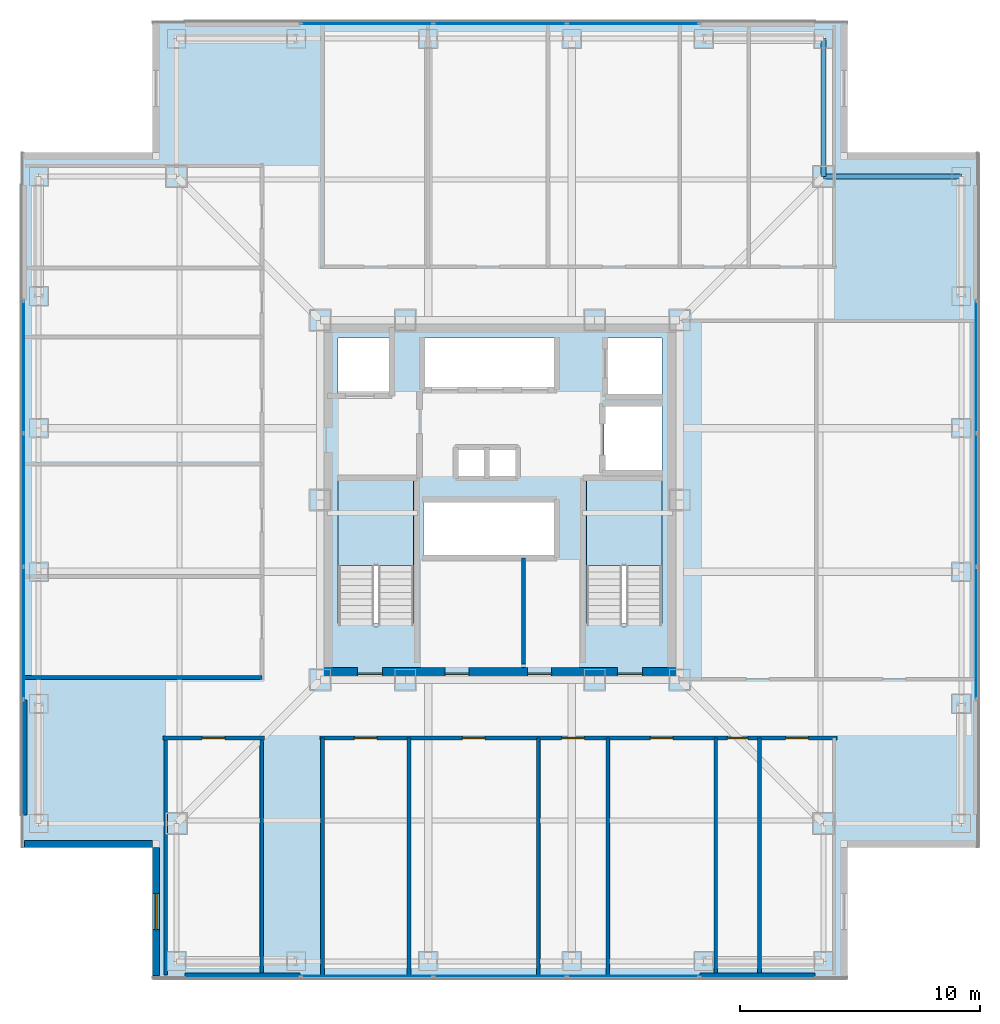
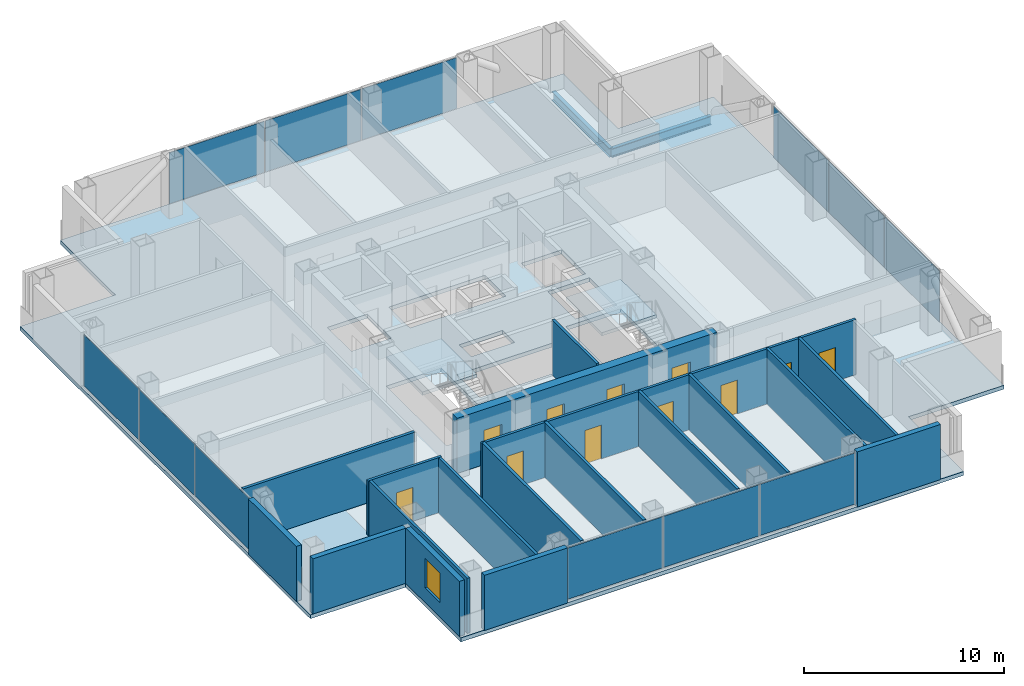
# One storey, part 9 of 17: 18 walls, 12 plates, 11 doors, 3 slabs, 2 beams, 1 window, 12 openings, 6 elements without a shape of their own.
"""IFC4 building model written with IfcOpenShell, lengths in metres."""

from ifc_helpers import new_model, si_unit, direction, frame, frame_2d, origin, origin_2d, place, context, subcontext, project, spatial, polyline, rectangle, i_section, outline, extrude, material, layer, layer_set, material_profile, profile_set, type_object, element, fill, aggregate, save


model = new_model("IFC4")

# Units and contexts
model_context = context("Model", 3, precision=1e-05, world=origin(), true_north=direction((0.0, 1.0)))
body_context = subcontext(model_context, "Body", "Model", "MODEL_VIEW")
ifc_project = project(units=[si_unit("LENGTHUNIT", "METRE"), si_unit("AREAUNIT", "SQUARE_METRE"), si_unit("VOLUMEUNIT", "CUBIC_METRE"), si_unit("PLANEANGLEUNIT", "RADIAN"), si_unit("MASSUNIT", "GRAM", prefix="KILO")], contexts=[model_context])

# Site, building, storey
site_placement = place(None, origin())
site = spatial("IfcSite", under=ifc_project, at=site_placement, CompositionType="ELEMENT")
building_placement = place(site_placement, origin())
building = spatial("IfcBuilding", under=site, at=building_placement, Name="Trevonay Congress Spire", CompositionType="ELEMENT")
storey_placement = place(building_placement, frame((0.0, 0.0, 169.800048828125)))
storey = spatial("IfcBuildingStorey", under=building, at=storey_placement, Name="L43", CompositionType="ELEMENT", Elevation=169.800048828125)

# Beams
ifc_material_1 = material(Name="Steel ASTM A572 Grade 50", Category="steel")
ifc_material_profile = material_profile(ifc_material_1, i_section(OverallWidth=0.2119140625, OverallDepth=0.5439453125, WebThickness=0.01318359375, FlangeThickness=0.021240234375, FilletRadius=0.014892578125, at=origin_2d()), Name="W530x123")
ifc_profile_set = profile_set([ifc_material_profile], Name="Steel ASTM A572 Grade 50")
beam_type = type_object("IfcBeamType", Name="BM-RING-W530X123", PredefinedType="BEAM", material=ifc_profile_set)
for number, where, z_axis, x_axis, name in (
    (1, (13.5, 19.25, -0.511962890625), (0.0, -1.0, 0.0), (1.0, 0.0, 0.0), "L43 structural beam BM-L43-N1NE"),
    (2, (19.25, 13.5, -0.511962890625), (-1.0, 0.0, 0.0), (0.0, -1.0, 0.0), "L43 structural beam BM-L43-N2NE"),
):
    element("IfcBeam", number, at=place(storey_placement, frame(where, z_axis=z_axis, x_axis=x_axis)), inside=storey, type_object=beam_type, Name=name, PredefinedType="BEAM", context=body_context, shape_type="SweptSolid", body=[
        extrude(i_section(OverallWidth=0.2119140625, OverallDepth=0.5439453125, WebThickness=0.01318359375, FlangeThickness=0.021240234375, FilletRadius=0.014892578125, at=origin_2d()), origin(), (0.0, 0.0, 1.0), 5.75),
    ])

# Curtain wall, plates
ifc_material_2 = material(Name="Pale Anodised Aluminium EN AW-6063-T6", Category="aluminium")
ifc_layer_1 = layer(ifc_material_2, 0.169921875, Name="Pale Anodised Aluminium EN AW-6063-T6")
ifc_layer_set_1 = layer_set([ifc_layer_1], Name="Pale Anodised Aluminium EN AW-6063-T6")
curtain_wall_type = type_object("IfcCurtainWallType", Name="CW-SYS04-CORP-PALE-METAL", PredefinedType="NOTDEFINED", material=ifc_layer_set_1)
curtain_wall_1_placement = place(storey_placement, origin())
curtain_wall_1 = element("IfcCurtainWall", 3, at=curtain_wall_1_placement, inside=storey, type_object=curtain_wall_type, Name="L43 S unitised curtain wall", PredefinedType="NOTDEFINED")
ifc_material_3 = material(Name="Insulated Low-E Vision Glass IGU", Category="glass")
ifc_layer_2 = layer(ifc_material_3, 0.035888671875, Name="Insulated Low-E Vision Glass IGU")
ifc_layer_set_2 = layer_set([ifc_layer_2], Name="Insulated Low-E Vision Glass IGU")
plate_type = type_object("IfcPlateType", Name="CW-PANEL-IGU36-SILVER", PredefinedType="CURTAIN_PANEL", material=ifc_layer_set_2)
plate_1_placement = place(storey_placement, frame((-5.5517578125, -19.8798828125, 0.119873046875), z_axis=(0.0, 0.0, 1.0), x_axis=(1.0, 0.0, 0.0)))
plate_1 = element("IfcPlate", 4, at=plate_1_placement, type_object=plate_type, Name="CW04 panel 1.1", PredefinedType="CURTAIN_PANEL", context=body_context, shape_type="SweptSolid", body=[
    extrude(rectangle(XDim=5.4765625, YDim=0.035888671875, at=origin_2d()), origin(), (0.0, 0.0, 1.0), 3.1201171875),
])
plate_2_placement = place(storey_placement, frame((0.0, -19.8798828125, 0.119873046875), z_axis=(0.0, 0.0, 1.0), x_axis=(1.0, 0.0, 0.0)))
plate_2 = element("IfcPlate", 5, at=plate_2_placement, type_object=plate_type, Name="CW04 panel 2.1", PredefinedType="CURTAIN_PANEL", context=body_context, shape_type="SweptSolid", body=[
    extrude(rectangle(XDim=5.506591796875, YDim=0.035888671875, at=origin_2d()), origin(), (0.0, 0.0, 1.0), 3.1201171875),
])
plate_3_placement = place(storey_placement, frame((5.5517578125, -19.8798828125, 0.119873046875), z_axis=(0.0, 0.0, 1.0), x_axis=(1.0, 0.0, 0.0)))
plate_3 = element("IfcPlate", 6, at=plate_3_placement, type_object=plate_type, Name="CW04 panel 3.1", PredefinedType="CURTAIN_PANEL", context=body_context, shape_type="SweptSolid", body=[
    extrude(rectangle(XDim=5.4765625, YDim=0.035888671875, at=origin_2d()), origin(), (0.0, 0.0, 1.0), 3.1201171875),
])
aggregate(curtain_wall_1, [plate_1, plate_2, plate_3])

curtain_wall_2_placement = place(storey_placement, origin())
curtain_wall_2 = element("IfcCurtainWall", 7, at=curtain_wall_2_placement, inside=storey, type_object=curtain_wall_type, Name="L43 N unitised curtain wall", PredefinedType="NOTDEFINED")
plate_4_placement = place(storey_placement, frame((-5.5517578125, 19.8798828125, 0.119873046875), z_axis=(0.0, 0.0, 1.0), x_axis=(1.0, 0.0, 0.0)))
plate_4 = element("IfcPlate", 8, at=plate_4_placement, type_object=plate_type, Name="CW04 panel 1.1", PredefinedType="CURTAIN_PANEL", context=body_context, shape_type="SweptSolid", body=[
    extrude(rectangle(XDim=5.4765625, YDim=0.035888671875, at=origin_2d()), origin(), (0.0, 0.0, 1.0), 3.1201171875),
])
plate_5_placement = place(storey_placement, frame((0.0, 19.8798828125, 0.119873046875), z_axis=(0.0, 0.0, 1.0), x_axis=(1.0, 0.0, 0.0)))
plate_5 = element("IfcPlate", 9, at=plate_5_placement, type_object=plate_type, Name="CW04 panel 2.1", PredefinedType="CURTAIN_PANEL", context=body_context, shape_type="SweptSolid", body=[
    extrude(rectangle(XDim=5.506591796875, YDim=0.035888671875, at=origin_2d()), origin(), (0.0, 0.0, 1.0), 3.1201171875),
])
plate_6_placement = place(storey_placement, frame((5.5517578125, 19.8798828125, 0.119873046875), z_axis=(0.0, 0.0, 1.0), x_axis=(1.0, 0.0, 0.0)))
plate_6 = element("IfcPlate", 10, at=plate_6_placement, type_object=plate_type, Name="CW04 panel 3.1", PredefinedType="CURTAIN_PANEL", context=body_context, shape_type="SweptSolid", body=[
    extrude(rectangle(XDim=5.4765625, YDim=0.035888671875, at=origin_2d()), origin(), (0.0, 0.0, 1.0), 3.1201171875),
])
aggregate(curtain_wall_2, [plate_4, plate_5, plate_6])

curtain_wall_3_placement = place(storey_placement, origin())
curtain_wall_3 = element("IfcCurtainWall", 11, at=curtain_wall_3_placement, inside=storey, type_object=curtain_wall_type, Name="L43 W unitised curtain wall", PredefinedType="NOTDEFINED")
plate_7_placement = place(storey_placement, frame((-19.8798828125, -5.5517578125, 0.119873046875), z_axis=(0.0, 0.0, 1.0), x_axis=(0.0, 1.0, 0.0)))
plate_7 = element("IfcPlate", 12, at=plate_7_placement, type_object=plate_type, Name="CW04 panel 1.1", PredefinedType="CURTAIN_PANEL", context=body_context, shape_type="SweptSolid", body=[
    extrude(rectangle(XDim=5.4765625, YDim=0.035888671875, at=origin_2d()), origin(), (0.0, 0.0, 1.0), 3.1201171875),
])
plate_8_placement = place(storey_placement, frame((-19.8798828125, 0.0, 0.119873046875), z_axis=(0.0, 0.0, 1.0), x_axis=(0.0, 1.0, 0.0)))
plate_8 = element("IfcPlate", 13, at=plate_8_placement, type_object=plate_type, Name="CW04 panel 2.1", PredefinedType="CURTAIN_PANEL", context=body_context, shape_type="SweptSolid", body=[
    extrude(rectangle(XDim=5.506591796875, YDim=0.035888671875, at=origin_2d()), origin(), (0.0, 0.0, 1.0), 3.1201171875),
])
plate_9_placement = place(storey_placement, frame((-19.8798828125, 5.5517578125, 0.119873046875), z_axis=(0.0, 0.0, 1.0), x_axis=(0.0, 1.0, 0.0)))
plate_9 = element("IfcPlate", 14, at=plate_9_placement, type_object=plate_type, Name="CW04 panel 3.1", PredefinedType="CURTAIN_PANEL", context=body_context, shape_type="SweptSolid", body=[
    extrude(rectangle(XDim=5.4765625, YDim=0.035888671875, at=origin_2d()), origin(), (0.0, 0.0, 1.0), 3.1201171875),
])
aggregate(curtain_wall_3, [plate_7, plate_8, plate_9])

curtain_wall_4_placement = place(storey_placement, origin())
curtain_wall_4 = element("IfcCurtainWall", 15, at=curtain_wall_4_placement, inside=storey, type_object=curtain_wall_type, Name="L43 E unitised curtain wall", PredefinedType="NOTDEFINED")
plate_10_placement = place(storey_placement, frame((19.8798828125, -5.5517578125, 0.119873046875), z_axis=(0.0, 0.0, 1.0), x_axis=(0.0, 1.0, 0.0)))
plate_10 = element("IfcPlate", 16, at=plate_10_placement, type_object=plate_type, Name="CW04 panel 1.1", PredefinedType="CURTAIN_PANEL", context=body_context, shape_type="SweptSolid", body=[
    extrude(rectangle(XDim=5.4765625, YDim=0.035888671875, at=origin_2d()), origin(), (0.0, 0.0, 1.0), 3.1201171875),
])
plate_11_placement = place(storey_placement, frame((19.8798828125, 0.0, 0.119873046875), z_axis=(0.0, 0.0, 1.0), x_axis=(0.0, 1.0, 0.0)))
plate_11 = element("IfcPlate", 17, at=plate_11_placement, type_object=plate_type, Name="CW04 panel 2.1", PredefinedType="CURTAIN_PANEL", context=body_context, shape_type="SweptSolid", body=[
    extrude(rectangle(XDim=5.506591796875, YDim=0.035888671875, at=origin_2d()), origin(), (0.0, 0.0, 1.0), 3.1201171875),
])
plate_12_placement = place(storey_placement, frame((19.8798828125, 5.5517578125, 0.119873046875), z_axis=(0.0, 0.0, 1.0), x_axis=(0.0, 1.0, 0.0)))
plate_12 = element("IfcPlate", 18, at=plate_12_placement, type_object=plate_type, Name="CW04 panel 3.1", PredefinedType="CURTAIN_PANEL", context=body_context, shape_type="SweptSolid", body=[
    extrude(rectangle(XDim=5.4765625, YDim=0.035888671875, at=origin_2d()), origin(), (0.0, 0.0, 1.0), 3.1201171875),
])
aggregate(curtain_wall_4, [plate_10, plate_11, plate_12])

# Stair, slab
ifc_material_4 = material(Name="Concrete C40/50", Category="concrete")
stair_type_1 = type_object("IfcStairType", Name="STR-ST-1", PredefinedType="HALF_TURN_STAIR", material=ifc_material_4)
stair_1_placement = place(storey_placement, origin())
stair_1 = element("IfcStair", 19, at=stair_1_placement, inside=storey, type_object=stair_type_1, Name="L43 Protected Exit Stair ST-1", PredefinedType="HALF_TURN_STAIR")
ifc_layer_3 = layer(ifc_material_4, 0.199951171875, Name="Concrete C40/50")
ifc_layer_set_3 = layer_set([ifc_layer_3], Name="Concrete C40/50")
slab_type_1 = type_object("IfcSlabType", Name="SLB-STAIR-LAND-200", PredefinedType="LANDING", material=ifc_layer_set_3)
slab_1_placement = place(storey_placement, frame((0.0, 0.0, 1.599853515625)))
slab_1 = element("IfcSlab", 20, at=slab_1_placement, type_object=slab_type_1, Name="ST-1 landing 1", PredefinedType="LANDING", context=body_context, shape_type="SweptSolid", body=[
    extrude(outline(polyline([(-3.60009765625, -2.72998046875), (-3.60009765625, 0.85009765625), (-6.75, 0.85009765625), (-6.75, -2.72998046875), (-3.60009765625, -2.72998046875)])), origin(), (0.0, 0.0, 1.0), 0.2001953125),
])
aggregate(stair_1, [slab_1])

stair_type_2 = type_object("IfcStairType", Name="STR-ST-2", PredefinedType="HALF_TURN_STAIR", material=ifc_material_4)
stair_2_placement = place(storey_placement, origin())
stair_2 = element("IfcStair", 21, at=stair_2_placement, inside=storey, type_object=stair_type_2, Name="L43 Protected Exit Stair ST-2", PredefinedType="HALF_TURN_STAIR")
slab_2_placement = place(storey_placement, frame((0.0, 0.0, 1.599853515625)))
slab_2 = element("IfcSlab", 22, at=slab_2_placement, type_object=slab_type_1, Name="ST-2 landing 1", PredefinedType="LANDING", context=body_context, shape_type="SweptSolid", body=[
    extrude(outline(polyline([(6.75, -2.72998046875), (6.75, 0.85009765625), (3.60009765625, 0.85009765625), (3.60009765625, -2.72998046875), (6.75, -2.72998046875)])), origin(), (0.0, 0.0, 1.0), 0.2001953125),
])
aggregate(stair_2, [slab_2])

# Slab
ifc_layer_4 = layer(ifc_material_4, 0.239990234375, Name="Concrete C40/50")
ifc_layer_set_4 = layer_set([ifc_layer_4], Name="Concrete C40/50")
slab_type_2 = type_object("IfcSlabType", Name="SLB-TOW2-240", PredefinedType="FLOOR", material=ifc_layer_set_4)
slab_3_placement = place(storey_placement, frame((0.0, 0.0, -0.239990234375)))
element("IfcSlab", 23, at=slab_3_placement, inside=storey, type_object=slab_type_2, Name="L43 structural floor slab", PredefinedType="FLOOR", context=body_context, shape_type="SweptSolid", body=[
    extrude(outline(polyline([(-14.5, -20.0), (14.5, -20.0), (14.5, -14.5), (20.0, -14.5), (20.0, 14.5), (14.5, 14.5), (14.5, 20.0), (-14.5, 20.0), (-14.5, 14.5), (-20.0, 14.5), (-20.0, -14.5), (-14.5, -14.5), (-14.5, -20.0)]), holes=[polyline([(-3.60009765625, -5.14990234375), (-3.60009765625, 0.85009765625), (-6.75, 0.85009765625), (-6.75, -5.14990234375), (-3.60009765625, -5.14990234375)]), polyline([(6.75, -5.14990234375), (6.75, 0.85009765625), (3.60009765625, 0.85009765625), (3.60009765625, -5.14990234375), (6.75, -5.14990234375)]), polyline([(-3.199951171875, -2.35009765625), (2.340087890625, -2.35009765625), (2.340087890625, -0.050048828125), (-3.199951171875, -0.050048828125), (-3.199951171875, -2.35009765625)]), polyline([(-3.199951171875, 4.64990234375), (2.340087890625, 4.64990234375), (2.340087890625, 6.75), (-3.199951171875, 6.75), (-3.199951171875, 4.64990234375)]), polyline([(-6.75, 4.35009765625), (-4.449951171875, 4.35009765625), (-4.449951171875, 6.75), (-6.75, 6.75), (-6.75, 4.35009765625)]), polyline([(4.449951171875, 4.35009765625), (6.75, 4.35009765625), (6.75, 6.75), (4.449951171875, 6.75), (4.449951171875, 4.35009765625)]), polyline([(4.35009765625, 1.199951171875), (6.75, 1.199951171875), (6.75, 3.949951171875), (4.35009765625, 3.949951171875), (4.35009765625, 1.199951171875)]), polyline([(-1.800048828125, 0.949951171875), (0.699951171875, 0.949951171875), (0.699951171875, 2.14990234375), (-1.800048828125, 2.14990234375), (-1.800048828125, 0.949951171875)])]), origin(), (0.0, 0.0, 1.0), 0.239990234375),
])

# Wall, openings, doors
ifc_material_5 = material(Name="Concrete C50/60", Category="concrete")
ifc_layer_5 = layer(ifc_material_5, 0.5, Name="Concrete C50/60")
ifc_layer_set_5 = layer_set([ifc_layer_5], Name="Concrete C50/60")
wall_type_1 = type_object("IfcWallType", Name="WAL-CORE-500", PredefinedType="SHEAR", material=ifc_layer_set_5)
wall_1_placement = place(storey_placement, frame((-7.5, -7.25, 0.0), z_axis=(0.0, 0.0, 1.0), x_axis=(1.0, 0.0, 0.0)))
wall_1 = element("IfcWall", 24, at=wall_1_placement, inside=storey, type_object=wall_type_1, Name="L43 South structural core shear wall", PredefinedType="SHEAR", context=body_context, shape_type="SweptSolid", body=[
    extrude(rectangle(XDim=15.0, YDim=0.5, at=frame_2d((7.5, 0.0))), origin(), (0.0, 0.0, 1.0), 3.35986328125),
])
opening_1_placement = place(wall_1_placement, frame((1.550048828125, 0.0, 0.0)))
opening_1 = element("IfcOpeningElement", 25, at=opening_1_placement, cuts=wall_1, Name="Opening D05", PredefinedType="OPENING", context=body_context, shape_type="SweptSolid", body=[
    extrude(rectangle(XDim=1.050048828125, YDim=2.080078125, at=frame_2d((0.52490234375, 1.0400390625))), frame((0.0, 0.260009765625, 0.0), z_axis=(0.0, -1.0, 0.0), x_axis=(1.0, 0.0, 0.0)), (0.0, 0.0, 1.0), 0.52001953125),
])
opening_2_placement = place(wall_1_placement, frame((12.39990234375, 0.0, 0.0)))
opening_2 = element("IfcOpeningElement", 26, at=opening_2_placement, cuts=wall_1, Name="Opening D05", PredefinedType="OPENING", context=body_context, shape_type="SweptSolid", body=[
    extrude(rectangle(XDim=1.050048828125, YDim=2.080078125, at=frame_2d((0.52490234375, 1.0400390625))), frame((0.0, 0.260009765625, 0.0), z_axis=(0.0, -1.0, 0.0), x_axis=(1.0, 0.0, 0.0)), (0.0, 0.0, 1.0), 0.52001953125),
])
opening_3_placement = place(wall_1_placement, frame((5.199951171875, 0.0, 0.0)))
opening_3 = element("IfcOpeningElement", 27, at=opening_3_placement, cuts=wall_1, Name="Opening D06", PredefinedType="OPENING", context=body_context, shape_type="SweptSolid", body=[
    extrude(rectangle(XDim=1.0, YDim=2.080078125, at=frame_2d((0.5, 1.0400390625))), frame((0.0, 0.260009765625, 0.0), z_axis=(0.0, -1.0, 0.0), x_axis=(1.0, 0.0, 0.0)), (0.0, 0.0, 1.0), 0.52001953125),
])
opening_4_placement = place(wall_1_placement, frame((8.64990234375, 0.0, 0.0)))
opening_4 = element("IfcOpeningElement", 28, at=opening_4_placement, cuts=wall_1, Name="Opening D06", PredefinedType="OPENING", context=body_context, shape_type="SweptSolid", body=[
    extrude(rectangle(XDim=1.0, YDim=2.080078125, at=frame_2d((0.5, 1.0400390625))), frame((0.0, 0.260009765625, 0.0), z_axis=(0.0, -1.0, 0.0), x_axis=(1.0, 0.0, 0.0)), (0.0, 0.0, 1.0), 0.52001953125),
])
door_type_1 = type_object("IfcDoorType", Name="DOR-FIRE-100", OperationType="NOTDEFINED", PredefinedType="DOOR", material=ifc_material_1)
door_1_placement = place(opening_3_placement, origin())
door_1 = element("IfcDoor", 29, at=door_1_placement, inside=storey, type_object=door_type_1, Name="L43 South Core Room 1 Door", OperationType="SINGLE_SWING_RIGHT", OverallHeight=2.080078125, OverallWidth=1.0, PredefinedType="DOOR", context=body_context, shape_type="SweptSolid", body=[
    extrude(rectangle(XDim=1.0, YDim=2.080078125, at=frame_2d((0.5, 1.0400390625))), frame((0.0, 0.02490234375, 0.0), z_axis=(0.0, -1.0, 0.0), x_axis=(1.0, 0.0, 0.0)), (0.0, 0.0, 1.0), 0.050048828125),
])
fill(opening_3, door_1)
door_2_placement = place(opening_4_placement, origin())
door_2 = element("IfcDoor", 30, at=door_2_placement, inside=storey, type_object=door_type_1, Name="L43 South Core Room 2 Door", OperationType="SINGLE_SWING_LEFT", OverallHeight=2.080078125, OverallWidth=1.0, PredefinedType="DOOR", context=body_context, shape_type="SweptSolid", body=[
    extrude(rectangle(XDim=1.0, YDim=2.080078125, at=frame_2d((0.5, 1.0400390625))), frame((0.0, 0.02490234375, 0.0), z_axis=(0.0, -1.0, 0.0), x_axis=(1.0, 0.0, 0.0)), (0.0, 0.0, 1.0), 0.050048828125),
])
fill(opening_4, door_2)
door_type_2 = type_object("IfcDoorType", Name="DOR-STAIR-110", OperationType="NOTDEFINED", PredefinedType="DOOR", material=ifc_material_1)
door_3_placement = place(opening_1_placement, origin())
door_3 = element("IfcDoor", 31, at=door_3_placement, inside=storey, type_object=door_type_2, Name="L43 Protected Stair ST-1 Door", OperationType="SINGLE_SWING_LEFT", OverallHeight=2.080078125, OverallWidth=1.050048828125, PredefinedType="DOOR", context=body_context, shape_type="SweptSolid", body=[
    extrude(rectangle(XDim=1.050048828125, YDim=2.080078125, at=frame_2d((0.52490234375, 1.0400390625))), frame((0.0, 0.02490234375, 0.0), z_axis=(0.0, -1.0, 0.0), x_axis=(1.0, 0.0, 0.0)), (0.0, 0.0, 1.0), 0.050048828125),
])
fill(opening_1, door_3)
door_4_placement = place(opening_2_placement, origin())
door_4 = element("IfcDoor", 32, at=door_4_placement, inside=storey, type_object=door_type_2, Name="L43 Protected Stair ST-2 Door", OperationType="SINGLE_SWING_RIGHT", OverallHeight=2.080078125, OverallWidth=1.050048828125, PredefinedType="DOOR", context=body_context, shape_type="SweptSolid", body=[
    extrude(rectangle(XDim=1.050048828125, YDim=2.080078125, at=frame_2d((0.52490234375, 1.0400390625))), frame((0.0, 0.02490234375, 0.0), z_axis=(0.0, -1.0, 0.0), x_axis=(1.0, 0.0, 0.0)), (0.0, 0.0, 1.0), 0.050048828125),
])
fill(opening_2, door_4)

# Wall, opening, door
ifc_layer_6 = layer(ifc_material_4, 0.14990234375, Name="Concrete C40/50")
ifc_layer_set_6 = layer_set([ifc_layer_6], Name="Concrete C40/50")
wall_type_2 = type_object("IfcWallType", Name="WAL-CORR-150", PredefinedType="PARTITIONING", material=ifc_layer_set_6)
wall_2_placement = place(storey_placement, frame((-14.070068359375, -9.929931640625, 0.0), z_axis=(0.0, 0.0, 1.0), x_axis=(1.0, 0.0, 0.0)))
wall_2 = element("IfcWall", 33, at=wall_2_placement, inside=storey, type_object=wall_type_2, Name="L43 interior wall WP-L43SW-COR", PredefinedType="PARTITIONING", context=body_context, shape_type="SweptSolid", body=[
    extrude(rectangle(XDim=4.239990234375, YDim=0.14990234375, at=frame_2d((2.1201171875, 0.0))), origin(), (0.0, 0.0, 1.0), 3.35986328125),
])
opening_5_placement = place(wall_2_placement, frame((1.64501953125, 0.0, 0.0)))
opening_5 = element("IfcOpeningElement", 34, at=opening_5_placement, cuts=wall_2, Name="Opening D07", PredefinedType="OPENING", context=body_context, shape_type="SweptSolid", body=[
    extrude(rectangle(XDim=0.949951171875, YDim=2.06005859375, at=frame_2d((0.47509765625, 1.030029296875))), frame((0.0, 0.0849609375, 0.0), z_axis=(0.0, -1.0, 0.0), x_axis=(1.0, 0.0, 0.0)), (0.0, 0.0, 1.0), 0.169921875),
])
door_type_3 = type_object("IfcDoorType", Name="DOR-OFFICE-95", OperationType="NOTDEFINED", PredefinedType="DOOR", material=ifc_material_2)
door_5_placement = place(opening_5_placement, origin())
door_5 = element("IfcDoor", 35, at=door_5_placement, inside=storey, type_object=door_type_3, Name="L43 Senior Partner Corner Office Door", OperationType="SINGLE_SWING_LEFT", OverallHeight=2.06005859375, OverallWidth=0.949951171875, PredefinedType="DOOR", context=body_context, shape_type="SweptSolid", body=[
    extrude(rectangle(XDim=0.949951171875, YDim=2.06005859375, at=frame_2d((0.47509765625, 1.030029296875))), frame((0.0, 0.02490234375, 0.0), z_axis=(0.0, -1.0, 0.0), x_axis=(1.0, 0.0, 0.0)), (0.0, 0.0, 1.0), 0.050048828125),
])
fill(opening_5, door_5)

# Wall, openings, doors
wall_3_placement = place(storey_placement, frame((-7.52001953125, -9.929931640625, 0.0), z_axis=(0.0, 0.0, 1.0), x_axis=(1.0, 0.0, 0.0)))
wall_3 = element("IfcWall", 36, at=wall_3_placement, inside=storey, type_object=wall_type_2, Name="L43 interior wall WP-L43SE-COR", PredefinedType="PARTITIONING", context=body_context, shape_type="SweptSolid", body=[
    extrude(rectangle(XDim=21.590087890625, YDim=0.14990234375, at=frame_2d((10.794921875, 0.0))), origin(), (0.0, 0.0, 1.0), 3.35986328125),
])
opening_6_placement = place(wall_3_placement, frame((1.445068359375, 0.0, 0.0)))
opening_6 = element("IfcOpeningElement", 37, at=opening_6_placement, cuts=wall_3, Name="Opening D07", PredefinedType="OPENING", context=body_context, shape_type="SweptSolid", body=[
    extrude(rectangle(XDim=0.949951171875, YDim=2.06005859375, at=frame_2d((0.47509765625, 1.030029296875))), frame((0.0, 0.0849609375, 0.0), z_axis=(0.0, -1.0, 0.0), x_axis=(1.0, 0.0, 0.0)), (0.0, 0.0, 1.0), 0.169921875),
])
opening_7_placement = place(wall_3_placement, frame((5.945068359375, 0.0, 0.0)))
opening_7 = element("IfcOpeningElement", 38, at=opening_7_placement, cuts=wall_3, Name="Opening D07", PredefinedType="OPENING", context=body_context, shape_type="SweptSolid", body=[
    extrude(rectangle(XDim=0.949951171875, YDim=2.06005859375, at=frame_2d((0.47509765625, 1.030029296875))), frame((0.0, 0.0849609375, 0.0), z_axis=(0.0, -1.0, 0.0), x_axis=(1.0, 0.0, 0.0)), (0.0, 0.0, 1.0), 0.169921875),
])
opening_8_placement = place(wall_3_placement, frame((10.094970703125, 0.0, 0.0)))
opening_8 = element("IfcOpeningElement", 39, at=opening_8_placement, cuts=wall_3, Name="Opening D07", PredefinedType="OPENING", context=body_context, shape_type="SweptSolid", body=[
    extrude(rectangle(XDim=0.949951171875, YDim=2.06005859375, at=frame_2d((0.47509765625, 1.030029296875))), frame((0.0, 0.0849609375, 0.0), z_axis=(0.0, -1.0, 0.0), x_axis=(1.0, 0.0, 0.0)), (0.0, 0.0, 1.0), 0.169921875),
])
opening_9_placement = place(wall_3_placement, frame((13.794921875, 0.0, 0.0)))
opening_9 = element("IfcOpeningElement", 40, at=opening_9_placement, cuts=wall_3, Name="Opening D07", PredefinedType="OPENING", context=body_context, shape_type="SweptSolid", body=[
    extrude(rectangle(XDim=0.949951171875, YDim=2.06005859375, at=frame_2d((0.47509765625, 1.030029296875))), frame((0.0, 0.0849609375, 0.0), z_axis=(0.0, -1.0, 0.0), x_axis=(1.0, 0.0, 0.0)), (0.0, 0.0, 1.0), 0.169921875),
])
opening_10_placement = place(wall_3_placement, frame((17.010009765625, 0.0, 0.0)))
opening_10 = element("IfcOpeningElement", 41, at=opening_10_placement, cuts=wall_3, Name="Opening D10", PredefinedType="OPENING", context=body_context, shape_type="SweptSolid", body=[
    extrude(rectangle(XDim=0.85009765625, YDim=2.050048828125, at=frame_2d((0.425048828125, 1.02490234375))), frame((0.0, 0.0849609375, 0.0), z_axis=(0.0, -1.0, 0.0), x_axis=(1.0, 0.0, 0.0)), (0.0, 0.0, 1.0), 0.169921875),
])
opening_11_placement = place(wall_3_placement, frame((19.43505859375, 0.0, 0.0)))
opening_11 = element("IfcOpeningElement", 42, at=opening_11_placement, cuts=wall_3, Name="Opening D07", PredefinedType="OPENING", context=body_context, shape_type="SweptSolid", body=[
    extrude(rectangle(XDim=0.949951171875, YDim=2.06005859375, at=frame_2d((0.47509765625, 1.030029296875))), frame((0.0, 0.0849609375, 0.0), z_axis=(0.0, -1.0, 0.0), x_axis=(1.0, 0.0, 0.0)), (0.0, 0.0, 1.0), 0.169921875),
])
door_6_placement = place(opening_6_placement, origin())
door_6 = element("IfcDoor", 43, at=door_6_placement, inside=storey, type_object=door_type_3, Name="L43 Admiralty Law Office 1 Door", OperationType="SINGLE_SWING_RIGHT", OverallHeight=2.06005859375, OverallWidth=0.949951171875, PredefinedType="DOOR", context=body_context, shape_type="SweptSolid", body=[
    extrude(rectangle(XDim=0.949951171875, YDim=2.06005859375, at=frame_2d((0.47509765625, 1.030029296875))), frame((0.0, 0.02490234375, 0.0), z_axis=(0.0, -1.0, 0.0), x_axis=(1.0, 0.0, 0.0)), (0.0, 0.0, 1.0), 0.050048828125),
])
fill(opening_6, door_6)
door_7_placement = place(opening_7_placement, origin())
door_7 = element("IfcDoor", 44, at=door_7_placement, inside=storey, type_object=door_type_3, Name="L43 Admiralty Law Office 2 Door", OperationType="SINGLE_SWING_LEFT", OverallHeight=2.06005859375, OverallWidth=0.949951171875, PredefinedType="DOOR", context=body_context, shape_type="SweptSolid", body=[
    extrude(rectangle(XDim=0.949951171875, YDim=2.06005859375, at=frame_2d((0.47509765625, 1.030029296875))), frame((0.0, 0.02490234375, 0.0), z_axis=(0.0, -1.0, 0.0), x_axis=(1.0, 0.0, 0.0)), (0.0, 0.0, 1.0), 0.050048828125),
])
fill(opening_7, door_7)
door_8_placement = place(opening_8_placement, origin())
door_8 = element("IfcDoor", 45, at=door_8_placement, inside=storey, type_object=door_type_3, Name="L43 Marine Insurance Office 3 Door", OperationType="SINGLE_SWING_RIGHT", OverallHeight=2.06005859375, OverallWidth=0.949951171875, PredefinedType="DOOR", context=body_context, shape_type="SweptSolid", body=[
    extrude(rectangle(XDim=0.949951171875, YDim=2.06005859375, at=frame_2d((0.47509765625, 1.030029296875))), frame((0.0, 0.02490234375, 0.0), z_axis=(0.0, -1.0, 0.0), x_axis=(1.0, 0.0, 0.0)), (0.0, 0.0, 1.0), 0.050048828125),
])
fill(opening_8, door_8)
door_9_placement = place(opening_9_placement, origin())
door_9 = element("IfcDoor", 46, at=door_9_placement, inside=storey, type_object=door_type_3, Name="L43 Paralegal Office 4 Door", OperationType="SINGLE_SWING_LEFT", OverallHeight=2.06005859375, OverallWidth=0.949951171875, PredefinedType="DOOR", context=body_context, shape_type="SweptSolid", body=[
    extrude(rectangle(XDim=0.949951171875, YDim=2.06005859375, at=frame_2d((0.47509765625, 1.030029296875))), frame((0.0, 0.02490234375, 0.0), z_axis=(0.0, -1.0, 0.0), x_axis=(1.0, 0.0, 0.0)), (0.0, 0.0, 1.0), 0.050048828125),
])
fill(opening_9, door_9)
door_10_placement = place(opening_11_placement, origin())
door_10 = element("IfcDoor", 47, at=door_10_placement, inside=storey, type_object=door_type_3, Name="L43 Floor Supplies and Copy Room Door", OperationType="SINGLE_SWING_LEFT", OverallHeight=2.06005859375, OverallWidth=0.949951171875, PredefinedType="DOOR", context=body_context, shape_type="SweptSolid", body=[
    extrude(rectangle(XDim=0.949951171875, YDim=2.06005859375, at=frame_2d((0.47509765625, 1.030029296875))), frame((0.0, 0.02490234375, 0.0), z_axis=(0.0, -1.0, 0.0), x_axis=(1.0, 0.0, 0.0)), (0.0, 0.0, 1.0), 0.050048828125),
])
fill(opening_11, door_10)
door_type_4 = type_object("IfcDoorType", Name="DOR-WC-85", OperationType="NOTDEFINED", PredefinedType="DOOR", material=ifc_material_2)
door_11_placement = place(opening_10_placement, origin())
door_11 = element("IfcDoor", 48, at=door_11_placement, inside=storey, type_object=door_type_4, Name="L43 Accessible WC Door", OperationType="SINGLE_SWING_RIGHT", OverallHeight=2.050048828125, OverallWidth=0.85009765625, PredefinedType="DOOR", context=body_context, shape_type="SweptSolid", body=[
    extrude(rectangle(XDim=0.85009765625, YDim=2.050048828125, at=frame_2d((0.425048828125, 1.02490234375))), frame((0.0, 0.02490234375, 0.0), z_axis=(0.0, -1.0, 0.0), x_axis=(1.0, 0.0, 0.0)), (0.0, 0.0, 1.0), 0.050048828125),
])
fill(opening_10, door_11)

# Walls
ifc_material_6 = material(Name="Precast concrete C40/50", Category="concrete")
ifc_layer_7 = layer(ifc_material_6, 0.300048828125, Name="Precast concrete C40/50")
ifc_layer_set_7 = layer_set([ifc_layer_7], Name="Precast concrete C40/50")
wall_type_3 = type_object("IfcWallType", Name="WAL-EXT-PRECAST-300", PredefinedType="SOLIDWALL", material=ifc_layer_set_7)
for number, where, z_axis, x_axis, name in (
    (49, (-13.14990234375, -19.8798828125, 0.0), (0.0, 0.0, 1.0), (1.0, 0.0, 0.0), "L43 SL braced-bay exterior pier wall"),
    (50, (8.35009765625, -19.8798828125, 0.0), (0.0, 0.0, 1.0), (1.0, 0.0, 0.0), "L43 SR braced-bay exterior pier wall"),
    (51, (-19.8798828125, -13.14990234375, 0.0), (0.0, 0.0, 1.0), (0.0, 1.0, 0.0), "L43 WL braced-bay exterior pier wall"),
):
    element("IfcWall", number, at=place(storey_placement, frame(where, z_axis=z_axis, x_axis=x_axis)), inside=storey, type_object=wall_type_3, Name=name, PredefinedType="SOLIDWALL", context=body_context, shape_type="SweptSolid", body=[
        extrude(rectangle(XDim=4.7998046875, YDim=0.300048828125, at=frame_2d((2.39990234375, 0.0))), origin(), (0.0, 0.0, 1.0), 3.35986328125),
    ])

# Wall, opening, window
wall_4_placement = place(storey_placement, frame((-14.35009765625, -19.85009765625, 0.0), z_axis=(0.0, 0.0, 1.0), x_axis=(0.0, 1.0, 0.0)))
wall_4 = element("IfcWall", 52, at=wall_4_placement, inside=storey, type_object=wall_type_3, Name="L43 SW re-entrant notch exterior wall 1", PredefinedType="SOLIDWALL", context=body_context, shape_type="SweptSolid", body=[
    extrude(rectangle(XDim=5.35009765625, YDim=0.300048828125, at=frame_2d((2.675048828125, 0.0))), origin(), (0.0, 0.0, 1.0), 3.35986328125),
])
opening_12_placement = place(wall_4_placement, frame((1.925048828125, 0.0, 0.89990234375)))
opening_12 = element("IfcOpeningElement", 53, at=opening_12_placement, cuts=wall_4, Name="Opening WN03", PredefinedType="OPENING", context=body_context, shape_type="SweptSolid", body=[
    extrude(rectangle(XDim=1.5, YDim=1.800048828125, at=frame_2d((0.75, 0.89990234375))), frame((0.0, 0.16015625, 0.0), z_axis=(0.0, -1.0, 0.0), x_axis=(1.0, 0.0, 0.0)), (0.0, 0.0, 1.0), 0.320068359375),
])
window_type = type_object("IfcWindowType", Name="WIN-NOTCH-150X180", PartitioningType="SINGLE_PANEL", PredefinedType="WINDOW", material=ifc_material_3)
window_placement = place(opening_12_placement, origin())
window = element("IfcWindow", 54, at=window_placement, inside=storey, type_object=window_type, Name="L43 SW corner notch window", OverallHeight=1.800048828125, OverallWidth=1.5, PartitioningType="SINGLE_PANEL", PredefinedType="WINDOW", context=body_context, shape_type="SweptSolid", body=[
    extrude(rectangle(XDim=1.5, YDim=1.800048828125, at=frame_2d((0.75, 0.89990234375))), frame((0.0, 0.030029296875, 0.0), z_axis=(0.0, -1.0, 0.0), x_axis=(1.0, 0.0, 0.0)), (0.0, 0.0, 1.0), 0.06005859375),
])
fill(opening_12, window)

# Walls
wall_5_placement = place(storey_placement, frame((-19.85009765625, -14.35009765625, 0.0), z_axis=(0.0, 0.0, 1.0), x_axis=(1.0, 0.0, 0.0)))
element("IfcWall", 55, at=wall_5_placement, inside=storey, type_object=wall_type_3, Name="L43 SW re-entrant notch exterior wall 2", PredefinedType="SOLIDWALL", context=body_context, shape_type="SweptSolid", body=[
    extrude(rectangle(XDim=5.35009765625, YDim=0.300048828125, at=frame_2d((2.675048828125, 0.0))), origin(), (0.0, 0.0, 1.0), 3.35986328125),
])
ifc_layer_8 = layer(ifc_material_4, 0.14990234375, Name="Concrete C40/50")
ifc_layer_set_8 = layer_set([ifc_layer_8], Name="Concrete C40/50")
wall_type_4 = type_object("IfcWallType", Name="WAL-PART-150", PredefinedType="PARTITIONING", material=ifc_layer_set_8)
wall_6_placement = place(storey_placement, frame((0.97998046875, -6.85009765625, 0.0), z_axis=(0.0, 0.0, 1.0), x_axis=(0.0, 1.0, 0.0)))
element("IfcWall", 56, at=wall_6_placement, inside=storey, type_object=wall_type_4, Name="L43 interior wall CW-F3-L43", PredefinedType="PARTITIONING", context=body_context, shape_type="SweptSolid", body=[
    extrude(rectangle(XDim=4.420166015625, YDim=0.14990234375, at=frame_2d((2.2099609375, 0.0))), origin(), (0.0, 0.0, 1.0), 3.35986328125),
])
for number, where, z_axis, x_axis, name in (
    (57, (-13.949951171875, -19.820068359375, 0.0), (0.0, 0.0, 1.0), (0.0, 1.0, 0.0), "L43 interior wall WP-L43SW-DIV1"),
    (58, (-9.949951171875, -19.820068359375, 0.0), (0.0, 0.0, 1.0), (0.0, 1.0, 0.0), "L43 interior wall WP-L43SW-DIV2"),
    (59, (1.60009765625, -19.820068359375, 0.0), (0.0, 0.0, 1.0), (0.0, 1.0, 0.0), "L43 interior wall WP-L43SE-DIV3"),
    (60, (4.5, -19.820068359375, 0.0), (0.0, 0.0, 1.0), (0.0, 1.0, 0.0), "L43 interior wall WP-L43SE-DIV4"),
    (61, (9.0, -19.820068359375, 0.0), (0.0, 0.0, 1.0), (0.0, 1.0, 0.0), "L43 interior wall WP-L43SE-DIV5"),
):
    element("IfcWall", number, at=place(storey_placement, frame(where, z_axis=z_axis, x_axis=x_axis)), inside=storey, type_object=wall_type_4, Name=name, PredefinedType="PARTITIONING", context=body_context, shape_type="SweptSolid", body=[
        extrude(rectangle(XDim=9.89013671875, YDim=0.14990234375, at=frame_2d((4.945068359375, 0.0))), origin(), (0.0, 0.0, 1.0), 3.35986328125),
    ])
ifc_layer_9 = layer(ifc_material_4, 0.1650390625, Name="Concrete C40/50")
ifc_layer_set_9 = layer_set([ifc_layer_9], Name="Concrete C40/50")
wall_type_5 = type_object("IfcWallType", Name="WAL-WET-165", PredefinedType="PLUMBINGWALL", material=ifc_layer_set_9)
for number, where, z_axis, x_axis, name in (
    (62, (10.830078125, -19.820068359375, 0.0), (0.0, 0.0, 1.0), (0.0, 1.0, 0.0), "L43 interior wall WP-L43SE-WCS5"),
    (63, (-7.39990234375, -19.820068359375, 0.0), (0.0, 0.0, 1.0), (0.0, 1.0, 0.0), "L43 interior wall WP-L43SE-DIV1"),
    (64, (-3.800048828125, -19.820068359375, 0.0), (0.0, 0.0, 1.0), (0.0, 1.0, 0.0), "L43 interior wall WP-L43SE-DIV2"),
    (65, (-19.820068359375, -7.39990234375, 0.0), (0.0, 0.0, 1.0), (1.0, 0.0, 0.0), "L43 interior wall WP-L43NW-DIV1"),
):
    element("IfcWall", number, at=place(storey_placement, frame(where, z_axis=z_axis, x_axis=x_axis)), inside=storey, type_object=wall_type_5, Name=name, PredefinedType="PLUMBINGWALL", context=body_context, shape_type="SweptSolid", body=[
        extrude(rectangle(XDim=9.89013671875, YDim=0.1650390625, at=frame_2d((4.945068359375, 0.0))), origin(), (0.0, 0.0, 1.0), 3.35986328125),
    ])

save(model, "model.ifc")
